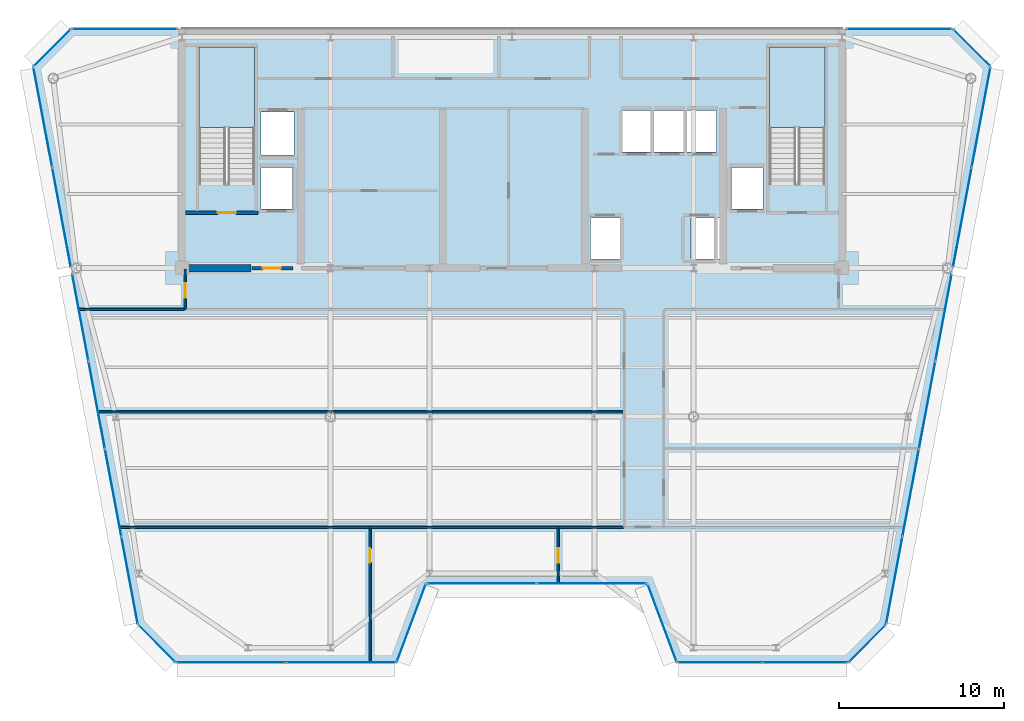
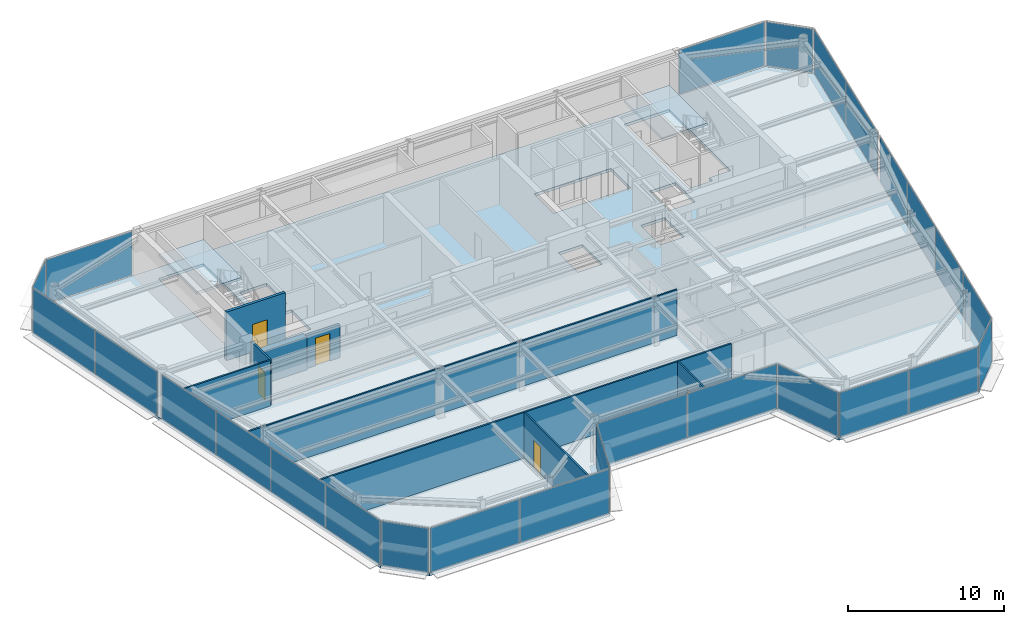
# One storey, part 10 of 19: 26 plates, 9 walls, 5 doors, 3 slabs, 5 openings, 17 elements without a shape of their own.
"""IFC4 building model written with IfcOpenShell, lengths in metres."""

from ifc_helpers import new_model, si_unit, direction, frame, frame_2d, origin, origin_2d, place, context, subcontext, project, spatial, polyline, rectangle, outline, extrude, source, transform, mapped, material, layer, layer_set, type_object, element, fill, aggregate, save


model = new_model("IFC4")

# Units and contexts
model_context = context("Model", 3, precision=1e-05, world=origin(), true_north=direction((0.0, 1.0)))
body_context = subcontext(model_context, "Body", "Model", "MODEL_VIEW")
ifc_project = project(units=[si_unit("LENGTHUNIT", "METRE"), si_unit("AREAUNIT", "SQUARE_METRE"), si_unit("VOLUMEUNIT", "CUBIC_METRE"), si_unit("PLANEANGLEUNIT", "RADIAN"), si_unit("MASSUNIT", "GRAM", prefix="KILO")], contexts=[model_context])

# Site, building, storey
site_placement = place(None, origin())
site = spatial("IfcSite", under=ifc_project, at=site_placement, CompositionType="ELEMENT")
building_placement = place(site_placement, origin())
building = spatial("IfcBuilding", under=site, at=building_placement, Name="Vaeldorn Concourse Tower", CompositionType="ELEMENT")
storey_placement = place(building_placement, frame((0.0, 0.0, 287.800048828125)))
storey = spatial("IfcBuildingStorey", under=building, at=storey_placement, Name="L74", CompositionType="ELEMENT", Elevation=287.800048828125)

# Stair, slab
ifc_material_1 = material(Name="Precast concrete C40/50", Category="concrete")
stair_type = type_object("IfcStairType", Name="STR-DOG-24x158", PredefinedType="HALF_TURN_STAIR", material=ifc_material_1)
stair_1_placement = place(storey_placement, origin())
stair_1 = element("IfcStair", 1, at=stair_1_placement, inside=storey, type_object=stair_type, Name="L74 West Core Exit Stair ST-1", PredefinedType="HALF_TURN_STAIR")
ifc_material_2 = material(Name="Concrete C40/50", Category="concrete")
ifc_layer_1 = layer(ifc_material_2, 0.199951171875)
ifc_layer_set_1 = layer_set([ifc_layer_1], Name="Concrete C40/50")
slab_type_1 = type_object("IfcSlabType", Name="SL-STAIR-LANDING", PredefinedType="LANDING", material=ifc_layer_set_1)
slab_1_placement = place(storey_placement, frame((0.0, 0.0, 1.699951171875)))
slab_1 = element("IfcSlab", 2, at=slab_1_placement, type_object=slab_type_1, Name="ST-1 landing 1", PredefinedType="LANDING", context=body_context, shape_type="SweptSolid", body=[
    extrude(outline(polyline([(18.39990234375, 45.010009765625), (18.39990234375, 49.89990234375), (15.050048828125, 49.89990234375), (15.050048828125, 45.010009765625), (18.39990234375, 45.010009765625)])), origin(), (0.0, 0.0, 1.0), 0.199951171875),
])
aggregate(stair_1, [slab_1])

stair_2_placement = place(storey_placement, origin())
stair_2 = element("IfcStair", 3, at=stair_2_placement, inside=storey, type_object=stair_type, Name="L74 East Core Exit Stair ST-2", PredefinedType="HALF_TURN_STAIR")
slab_2_placement = place(storey_placement, frame((0.0, 0.0, 1.699951171875)))
slab_2 = element("IfcSlab", 4, at=slab_2_placement, type_object=slab_type_1, Name="ST-2 landing 1", PredefinedType="LANDING", context=body_context, shape_type="SweptSolid", body=[
    extrude(outline(polyline([(52.949951171875, 45.010009765625), (52.949951171875, 49.89990234375), (49.60009765625, 49.89990234375), (49.60009765625, 45.010009765625), (52.949951171875, 45.010009765625)])), origin(), (0.0, 0.0, 1.0), 0.199951171875),
])
aggregate(stair_2, [slab_2])

# Slab
ifc_layer_2 = layer(ifc_material_2, 0.219970703125)
ifc_layer_set_2 = layer_set([ifc_layer_2], Name="Concrete C40/50")
slab_type_2 = type_object("IfcSlabType", Name="SL-TYP-220", PredefinedType="FLOOR", material=ifc_layer_set_2)
slab_3_placement = place(storey_placement, frame((0.0, 0.0, -0.219970703125)))
element("IfcSlab", 5, at=slab_3_placement, inside=storey, type_object=slab_type_2, Name="Structural Floor Slab L74", PredefinedType="FLOOR", context=body_context, shape_type="SweptSolid", body=[
    extrude(outline(polyline([(13.635986328125, 12.60009765625), (27.0, 12.60009765625), (28.800048828125, 17.39990234375), (42.199951171875, 17.39990234375), (44.0, 12.60009765625), (54.364013671875, 12.60009765625), (56.6640625, 14.89990234375), (63.0, 48.699951171875), (60.699951171875, 51.0), (7.300048828125, 51.0), (5.0, 48.699951171875), (11.3359375, 14.89990234375), (13.635986328125, 12.60009765625)]), holes=[polyline([(18.39990234375, 42.0), (18.39990234375, 49.89990234375), (15.050048828125, 49.89990234375), (15.050048828125, 41.60009765625), (16.800048828125, 41.60009765625), (16.800048828125, 42.0), (18.39990234375, 42.0)]), polyline([(52.949951171875, 42.0), (52.949951171875, 49.89990234375), (49.60009765625, 49.89990234375), (49.60009765625, 41.60009765625), (51.35009765625, 41.60009765625), (51.35009765625, 42.0), (52.949951171875, 42.0)]), polyline([(38.75, 37.050048828125), (40.550048828125, 37.050048828125), (40.550048828125, 39.550048828125), (38.75, 39.550048828125), (38.75, 37.050048828125)]), polyline([(44.85009765625, 37.050048828125), (46.64990234375, 37.050048828125), (46.64990234375, 39.550048828125), (44.85009765625, 39.550048828125), (44.85009765625, 37.050048828125)]), polyline([(40.699951171875, 43.550048828125), (46.39990234375, 43.550048828125), (46.39990234375, 46.050048828125), (40.699951171875, 46.050048828125), (40.699951171875, 43.550048828125)]), polyline([(18.800048828125, 43.35009765625), (20.800048828125, 43.35009765625), (20.800048828125, 45.949951171875), (18.800048828125, 45.949951171875), (18.800048828125, 43.35009765625)]), polyline([(18.800048828125, 40.10009765625), (20.699951171875, 40.10009765625), (20.699951171875, 42.60009765625), (18.800048828125, 42.60009765625), (18.800048828125, 40.10009765625)]), polyline([(47.300048828125, 40.10009765625), (49.199951171875, 40.10009765625), (49.199951171875, 42.60009765625), (47.300048828125, 42.60009765625), (47.300048828125, 40.10009765625)])]), origin(), (0.0, 0.0, 1.0), 0.219970703125),
])

# Curtain wall, plate
ifc_material_3 = material(Name="Anodised Bronze Aluminium", Category="aluminium")
ifc_layer_3 = layer(ifc_material_3, 0.179931640625)
ifc_layer_set_3 = layer_set([ifc_layer_3], Name="Anodised Bronze Aluminium")
curtain_wall_type = type_object("IfcCurtainWallType", Name="CW-SYS-05", PredefinedType="NOTDEFINED", material=ifc_layer_set_3)
curtain_wall_1_placement = place(storey_placement, origin())
curtain_wall_1 = element("IfcCurtainWall", 6, at=curtain_wall_1_placement, inside=storey, type_object=curtain_wall_type, Name="Unitised Curtain Wall CW-L74-E02-1", PredefinedType="NOTDEFINED")
ifc_material_4 = material(Name="Bronze Tinted Low-E Insulated Glass", Category="glass")
ifc_layer_4 = layer(ifc_material_4, 0.031982421875)
ifc_layer_set_4 = layer_set([ifc_layer_4], Name="Bronze Tinted Low-E Insulated Glass")
plate_type = type_object("IfcPlateType", Name="CWP-VISION-32", PredefinedType="CURTAIN_PANEL", material=ifc_layer_set_4)
shared_shape_1 = source(origin(), body_context, "Body", "SweptSolid", [
    extrude(rectangle(XDim=4.996337890625, YDim=0.031982421875, at=origin_2d()), origin(), (0.0, 0.0, 1.0), 3.449951171875),
])
plate_1_placement = place(storey_placement, frame((27.89990234375, 15.0, 0.06494140625), z_axis=(0.0, 0.0, 1.0), x_axis=(0.351123441595, 0.936329177566, 0.0)))
plate_1 = element("IfcPlate", 7, at=plate_1_placement, type_object=plate_type, Name="CW-05 panel 1.1", PredefinedType="CURTAIN_PANEL", context=body_context, shape_type="MappedRepresentation", body=[
    mapped(shared_shape_1, transform((0.0, 0.0, 0.0), scale=1.0)),
])
aggregate(curtain_wall_1, [plate_1])

curtain_wall_2_placement = place(storey_placement, origin())
curtain_wall_2 = element("IfcCurtainWall", 8, at=curtain_wall_2_placement, inside=storey, type_object=curtain_wall_type, Name="Unitised Curtain Wall CW-L74-E04-1", PredefinedType="NOTDEFINED")
plate_2_placement = place(storey_placement, frame((43.10009765625, 15.0, 0.06494140625), z_axis=(0.0, 0.0, 1.0), x_axis=(0.351123441595, -0.936329177566, 0.0)))
plate_2 = element("IfcPlate", 9, at=plate_2_placement, type_object=plate_type, Name="CW-05 panel 1.1", PredefinedType="CURTAIN_PANEL", context=body_context, shape_type="MappedRepresentation", body=[
    mapped(shared_shape_1, transform((0.0, 0.0, 0.0), scale=1.0)),
])
aggregate(curtain_wall_2, [plate_2])

# Curtain wall, plates
curtain_wall_3_placement = place(storey_placement, origin())
curtain_wall_3 = element("IfcCurtainWall", 10, at=curtain_wall_3_placement, inside=storey, type_object=curtain_wall_type, Name="Unitised Curtain Wall CW-L74-E03-1", PredefinedType="NOTDEFINED")
shared_shape_2 = source(origin(), body_context, "Body", "SweptSolid", [
    extrude(rectangle(XDim=6.6025390625, YDim=0.031982421875, at=origin_2d()), origin(), (0.0, 0.0, 1.0), 3.449951171875),
])
plate_3_placement = place(storey_placement, frame((32.166259765625, 17.39990234375, 0.06494140625), z_axis=(0.0, 0.0, 1.0), x_axis=(1.0, 0.0, 0.0)))
plate_3 = element("IfcPlate", 11, at=plate_3_placement, type_object=plate_type, Name="CW-05 panel 1.1", PredefinedType="CURTAIN_PANEL", context=body_context, shape_type="MappedRepresentation", body=[
    mapped(shared_shape_2, transform((0.0, 0.0, 0.0), scale=1.0)),
])
plate_4_placement = place(storey_placement, frame((38.833740234375, 17.39990234375, 0.06494140625), z_axis=(0.0, 0.0, 1.0), x_axis=(1.0, 0.0, 0.0)))
plate_4 = element("IfcPlate", 12, at=plate_4_placement, type_object=plate_type, Name="CW-05 panel 2.1", PredefinedType="CURTAIN_PANEL", context=body_context, shape_type="MappedRepresentation", body=[
    mapped(shared_shape_2, transform((0.0, 0.0, 0.0), scale=1.0)),
])
aggregate(curtain_wall_3, [plate_3, plate_4])

# Curtain wall, plate
curtain_wall_4_placement = place(storey_placement, origin())
curtain_wall_4 = element("IfcCurtainWall", 13, at=curtain_wall_4_placement, inside=storey, type_object=curtain_wall_type, Name="Unitised Curtain Wall CW-L74-E06-1", PredefinedType="NOTDEFINED")
shared_shape_3 = source(origin(), body_context, "Body", "SweptSolid", [
    extrude(rectangle(XDim=3.122802734375, YDim=0.031982421875, at=origin_2d()), origin(), (0.0, 0.0, 1.0), 3.449951171875),
])
plate_5_placement = place(storey_placement, frame((55.513916015625, 13.75, 0.06494140625), z_axis=(0.0, 0.0, 1.0), x_axis=(0.707106781187, 0.707106781187, 0.0)))
plate_5 = element("IfcPlate", 14, at=plate_5_placement, type_object=plate_type, Name="CW-05 panel 1.1", PredefinedType="CURTAIN_PANEL", context=body_context, shape_type="MappedRepresentation", body=[
    mapped(shared_shape_3, transform((0.0, 0.0, 0.0), scale=1.0)),
])
aggregate(curtain_wall_4, [plate_5])

curtain_wall_5_placement = place(storey_placement, origin())
curtain_wall_5 = element("IfcCurtainWall", 15, at=curtain_wall_5_placement, inside=storey, type_object=curtain_wall_type, Name="Unitised Curtain Wall CW-L74-E08-1", PredefinedType="NOTDEFINED")
plate_6_placement = place(storey_placement, frame((61.85009765625, 49.85009765625, 0.06494140625), z_axis=(0.0, 0.0, 1.0), x_axis=(-0.707106781187, 0.707106781187, 0.0)))
plate_6 = element("IfcPlate", 16, at=plate_6_placement, type_object=plate_type, Name="CW-05 panel 1.1", PredefinedType="CURTAIN_PANEL", context=body_context, shape_type="MappedRepresentation", body=[
    mapped(shared_shape_3, transform((0.0, 0.0, 0.0), scale=1.0)),
])
aggregate(curtain_wall_5, [plate_6])

curtain_wall_6_placement = place(storey_placement, origin())
curtain_wall_6 = element("IfcCurtainWall", 17, at=curtain_wall_6_placement, inside=storey, type_object=curtain_wall_type, Name="Unitised Curtain Wall CW-L74-E10-1", PredefinedType="NOTDEFINED")
plate_7_placement = place(storey_placement, frame((6.14990234375, 49.85009765625, 0.06494140625), z_axis=(0.0, 0.0, 1.0), x_axis=(-0.707106781187, -0.707106781187, 0.0)))
plate_7 = element("IfcPlate", 18, at=plate_7_placement, type_object=plate_type, Name="CW-05 panel 1.1", PredefinedType="CURTAIN_PANEL", context=body_context, shape_type="MappedRepresentation", body=[
    mapped(shared_shape_3, transform((0.0, 0.0, 0.0), scale=1.0)),
])
aggregate(curtain_wall_6, [plate_7])

curtain_wall_7_placement = place(storey_placement, origin())
curtain_wall_7 = element("IfcCurtainWall", 19, at=curtain_wall_7_placement, inside=storey, type_object=curtain_wall_type, Name="Unitised Curtain Wall CW-L74-E12-1", PredefinedType="NOTDEFINED")
plate_8_placement = place(storey_placement, frame((12.486083984375, 13.75, 0.06494140625), z_axis=(0.0, 0.0, 1.0), x_axis=(0.707106781187, -0.707106781187, 0.0)))
plate_8 = element("IfcPlate", 20, at=plate_8_placement, type_object=plate_type, Name="CW-05 panel 1.1", PredefinedType="CURTAIN_PANEL", context=body_context, shape_type="MappedRepresentation", body=[
    mapped(shared_shape_3, transform((0.0, 0.0, 0.0), scale=1.0)),
])
aggregate(curtain_wall_7, [plate_8])

curtain_wall_8_placement = place(storey_placement, origin())
curtain_wall_8 = element("IfcCurtainWall", 21, at=curtain_wall_8_placement, inside=storey, type_object=curtain_wall_type, Name="Unitised Curtain Wall CW-L74-E09-1", PredefinedType="NOTDEFINED")
shared_shape_4 = source(origin(), body_context, "Body", "SweptSolid", [
    extrude(rectangle(XDim=6.35009765625, YDim=0.031982421875, at=origin_2d()), origin(), (0.0, 0.0, 1.0), 3.449951171875),
])
plate_9_placement = place(storey_placement, frame((57.4599609375, 51.0, 0.06494140625), z_axis=(0.0, 0.0, 1.0), x_axis=(-1.0, 0.0, 0.0)))
plate_9 = element("IfcPlate", 22, at=plate_9_placement, type_object=plate_type, Name="CW-05 panel 1.1", PredefinedType="CURTAIN_PANEL", context=body_context, shape_type="MappedRepresentation", body=[
    mapped(shared_shape_4, transform((0.0, 0.0, 0.0), scale=1.0)),
])
aggregate(curtain_wall_8, [plate_9])

curtain_wall_9_placement = place(storey_placement, origin())
curtain_wall_9 = element("IfcCurtainWall", 23, at=curtain_wall_9_placement, inside=storey, type_object=curtain_wall_type, Name="Unitised Curtain Wall CW-L74-E09-2", PredefinedType="NOTDEFINED")
plate_10_placement = place(storey_placement, frame((10.5400390625, 51.0, 0.06494140625), z_axis=(0.0, 0.0, 1.0), x_axis=(-1.0, 0.0, 0.0)))
plate_10 = element("IfcPlate", 24, at=plate_10_placement, type_object=plate_type, Name="CW-05 panel 1.1", PredefinedType="CURTAIN_PANEL", context=body_context, shape_type="MappedRepresentation", body=[
    mapped(shared_shape_4, transform((0.0, 0.0, 0.0), scale=1.0)),
])
aggregate(curtain_wall_9, [plate_10])

# Curtain wall, plates
curtain_wall_10_placement = place(storey_placement, origin())
curtain_wall_10 = element("IfcCurtainWall", 25, at=curtain_wall_10_placement, inside=storey, type_object=curtain_wall_type, Name="Unitised Curtain Wall CW-L74-E07-1", PredefinedType="NOTDEFINED")
shared_shape_5 = source(origin(), body_context, "Body", "SweptSolid", [
    extrude(rectangle(XDim=5.31640625, YDim=0.031982421875, at=origin_2d()), origin(), (0.0, 0.0, 1.0), 3.449951171875),
])
plate_11_placement = place(storey_placement, frame((57.165771484375, 17.57666015625, 0.06494140625), z_axis=(0.0, 0.0, 1.0), x_axis=(0.184246714088, 0.982880027444, 0.0)))
plate_11 = element("IfcPlate", 26, at=plate_11_placement, type_object=plate_type, Name="CW-05 panel 1.1", PredefinedType="CURTAIN_PANEL", context=body_context, shape_type="MappedRepresentation", body=[
    mapped(shared_shape_5, transform((0.0, 0.0, 0.0), scale=1.0)),
])
plate_12_placement = place(storey_placement, frame((60.15234375, 33.50830078125, 0.06494140625), z_axis=(0.0, 0.0, 1.0), x_axis=(0.184246714088, 0.982880027444, 0.0)))
plate_12 = element("IfcPlate", 27, at=plate_12_placement, type_object=plate_type, Name="CW-05 panel 4.1", PredefinedType="CURTAIN_PANEL", context=body_context, shape_type="MappedRepresentation", body=[
    mapped(shared_shape_5, transform((0.0, 0.0, 0.0), scale=1.0)),
])

curtain_wall_11_placement = place(storey_placement, origin())
curtain_wall_11 = element("IfcCurtainWall", 28, at=curtain_wall_11_placement, inside=storey, type_object=curtain_wall_type, Name="Unitised Curtain Wall CW-L74-E11-2", PredefinedType="NOTDEFINED")
plate_13_placement = place(storey_placement, frame((7.84765625, 33.50830078125, 0.06494140625), z_axis=(0.0, 0.0, 1.0), x_axis=(0.184246714088, -0.982880027444, 0.0)))
plate_13 = element("IfcPlate", 29, at=plate_13_placement, type_object=plate_type, Name="CW-05 panel 1.1", PredefinedType="CURTAIN_PANEL", context=body_context, shape_type="MappedRepresentation", body=[
    mapped(shared_shape_5, transform((0.0, 0.0, 0.0), scale=1.0)),
])
plate_14_placement = place(storey_placement, frame((10.834228515625, 17.57666015625, 0.06494140625), z_axis=(0.0, 0.0, 1.0), x_axis=(0.184246714088, -0.982880027444, 0.0)))
plate_14 = element("IfcPlate", 30, at=plate_14_placement, type_object=plate_type, Name="CW-05 panel 4.1", PredefinedType="CURTAIN_PANEL", context=body_context, shape_type="MappedRepresentation", body=[
    mapped(shared_shape_5, transform((0.0, 0.0, 0.0), scale=1.0)),
])

# Plate
shared_shape_6 = source(origin(), body_context, "Body", "SweptSolid", [
    extrude(rectangle(XDim=5.348876953125, YDim=0.031982421875, at=origin_2d()), origin(), (0.0, 0.0, 1.0), 3.449951171875),
])
plate_15_placement = place(storey_placement, frame((58.16015625, 22.8818359375, 0.06494140625), z_axis=(0.0, 0.0, 1.0), x_axis=(0.184246714088, 0.982880027444, 0.0)))
plate_15 = element("IfcPlate", 31, at=plate_15_placement, type_object=plate_type, Name="CW-05 panel 2.1", PredefinedType="CURTAIN_PANEL", context=body_context, shape_type="MappedRepresentation", body=[
    mapped(shared_shape_6, transform((0.0, 0.0, 0.0), scale=1.0)),
])

plate_16_placement = place(storey_placement, frame((59.15771484375, 28.203125, 0.06494140625), z_axis=(0.0, 0.0, 1.0), x_axis=(0.184246714088, 0.982880027444, 0.0)))
plate_16 = element("IfcPlate", 32, at=plate_16_placement, type_object=plate_type, Name="CW-05 panel 3.1", PredefinedType="CURTAIN_PANEL", context=body_context, shape_type="MappedRepresentation", body=[
    mapped(shared_shape_6, transform((0.0, 0.0, 0.0), scale=1.0)),
])

aggregate(curtain_wall_10, [plate_11, plate_15, plate_16, plate_12])

plate_17_placement = place(storey_placement, frame((8.84228515625, 28.203125, 0.06494140625), z_axis=(0.0, 0.0, 1.0), x_axis=(0.184246714088, -0.982880027444, 0.0)))
plate_17 = element("IfcPlate", 33, at=plate_17_placement, type_object=plate_type, Name="CW-05 panel 2.1", PredefinedType="CURTAIN_PANEL", context=body_context, shape_type="MappedRepresentation", body=[
    mapped(shared_shape_6, transform((0.0, 0.0, 0.0), scale=1.0)),
])

plate_18_placement = place(storey_placement, frame((9.83984375, 22.8818359375, 0.06494140625), z_axis=(0.0, 0.0, 1.0), x_axis=(0.184246714088, -0.982880027444, 0.0)))
plate_18 = element("IfcPlate", 34, at=plate_18_placement, type_object=plate_type, Name="CW-05 panel 3.1", PredefinedType="CURTAIN_PANEL", context=body_context, shape_type="MappedRepresentation", body=[
    mapped(shared_shape_6, transform((0.0, 0.0, 0.0), scale=1.0)),
])

aggregate(curtain_wall_11, [plate_13, plate_17, plate_18, plate_14])

# Curtain wall, plates
curtain_wall_12_placement = place(storey_placement, origin())
curtain_wall_12 = element("IfcCurtainWall", 35, at=curtain_wall_12_placement, inside=storey, type_object=curtain_wall_type, Name="Unitised Curtain Wall CW-L74-E07-2", PredefinedType="NOTDEFINED")
shared_shape_7 = source(origin(), body_context, "Body", "SweptSolid", [
    extrude(rectangle(XDim=6.103515625, YDim=0.031982421875, at=origin_2d()), origin(), (0.0, 0.0, 1.0), 3.449951171875),
])
plate_19_placement = place(storey_placement, frame((61.289306640625, 39.57373046875, 0.06494140625), z_axis=(0.0, 0.0, 1.0), x_axis=(0.184245693053, 0.982880218842, 0.0)))
plate_19 = element("IfcPlate", 36, at=plate_19_placement, type_object=plate_type, Name="CW-05 panel 1.1", PredefinedType="CURTAIN_PANEL", context=body_context, shape_type="MappedRepresentation", body=[
    mapped(shared_shape_7, transform((0.0, 0.0, 0.0), scale=1.0)),
])
plate_20_placement = place(storey_placement, frame((62.42578125, 45.63671875, 0.06494140625), z_axis=(0.0, 0.0, 1.0), x_axis=(0.184245693053, 0.982880218842, 0.0)))
plate_20 = element("IfcPlate", 37, at=plate_20_placement, type_object=plate_type, Name="CW-05 panel 2.1", PredefinedType="CURTAIN_PANEL", context=body_context, shape_type="MappedRepresentation", body=[
    mapped(shared_shape_7, transform((0.0, 0.0, 0.0), scale=1.0)),
])
aggregate(curtain_wall_12, [plate_19, plate_20])

curtain_wall_13_placement = place(storey_placement, origin())
curtain_wall_13 = element("IfcCurtainWall", 38, at=curtain_wall_13_placement, inside=storey, type_object=curtain_wall_type, Name="Unitised Curtain Wall CW-L74-E11-1", PredefinedType="NOTDEFINED")
plate_21_placement = place(storey_placement, frame((5.57421875, 45.63671875, 0.06494140625), z_axis=(0.0, 0.0, 1.0), x_axis=(0.184245693053, -0.982880218842, 0.0)))
plate_21 = element("IfcPlate", 39, at=plate_21_placement, type_object=plate_type, Name="CW-05 panel 1.1", PredefinedType="CURTAIN_PANEL", context=body_context, shape_type="MappedRepresentation", body=[
    mapped(shared_shape_7, transform((0.0, 0.0, 0.0), scale=1.0)),
])
plate_22_placement = place(storey_placement, frame((6.710693359375, 39.57373046875, 0.06494140625), z_axis=(0.0, 0.0, 1.0), x_axis=(0.184245693053, -0.982880218842, 0.0)))
plate_22 = element("IfcPlate", 40, at=plate_22_placement, type_object=plate_type, Name="CW-05 panel 2.1", PredefinedType="CURTAIN_PANEL", context=body_context, shape_type="MappedRepresentation", body=[
    mapped(shared_shape_7, transform((0.0, 0.0, 0.0), scale=1.0)),
])
aggregate(curtain_wall_13, [plate_21, plate_22])

curtain_wall_14_placement = place(storey_placement, origin())
curtain_wall_14 = element("IfcCurtainWall", 41, at=curtain_wall_14_placement, inside=storey, type_object=curtain_wall_type, Name="Unitised Curtain Wall CW-L74-E01-1", PredefinedType="NOTDEFINED")
shared_shape_8 = source(origin(), body_context, "Body", "SweptSolid", [
    extrude(rectangle(XDim=6.58447265625, YDim=0.031982421875, at=origin_2d()), origin(), (0.0, 0.0, 1.0), 3.449951171875),
])
plate_23_placement = place(storey_placement, frame((16.9931640625, 12.60009765625, 0.06494140625), z_axis=(0.0, 0.0, 1.0), x_axis=(1.0, 0.0, 0.0)))
plate_23 = element("IfcPlate", 42, at=plate_23_placement, type_object=plate_type, Name="CW-05 panel 1.1", PredefinedType="CURTAIN_PANEL", context=body_context, shape_type="MappedRepresentation", body=[
    mapped(shared_shape_8, transform((0.0, 0.0, 0.0), scale=1.0)),
])
plate_24_placement = place(storey_placement, frame((23.642822265625, 12.60009765625, 0.06494140625), z_axis=(0.0, 0.0, 1.0), x_axis=(1.0, 0.0, 0.0)))
plate_24 = element("IfcPlate", 43, at=plate_24_placement, type_object=plate_type, Name="CW-05 panel 2.1", PredefinedType="CURTAIN_PANEL", context=body_context, shape_type="MappedRepresentation", body=[
    mapped(shared_shape_8, transform((0.0, 0.0, 0.0), scale=1.0)),
])
aggregate(curtain_wall_14, [plate_23, plate_24])

curtain_wall_15_placement = place(storey_placement, origin())
curtain_wall_15 = element("IfcCurtainWall", 44, at=curtain_wall_15_placement, inside=storey, type_object=curtain_wall_type, Name="Unitised Curtain Wall CW-L74-E05-1", PredefinedType="NOTDEFINED")
shared_shape_9 = source(origin(), body_context, "Body", "SweptSolid", [
    extrude(rectangle(XDim=5.08447265625, YDim=0.031982421875, at=origin_2d()), origin(), (0.0, 0.0, 1.0), 3.449951171875),
])
plate_25_placement = place(storey_placement, frame((46.607177734375, 12.60009765625, 0.06494140625), z_axis=(0.0, 0.0, 1.0), x_axis=(1.0, 0.0, 0.0)))
plate_25 = element("IfcPlate", 45, at=plate_25_placement, type_object=plate_type, Name="CW-05 panel 1.1", PredefinedType="CURTAIN_PANEL", context=body_context, shape_type="MappedRepresentation", body=[
    mapped(shared_shape_9, transform((0.0, 0.0, 0.0), scale=1.0)),
])
plate_26_placement = place(storey_placement, frame((51.7568359375, 12.60009765625, 0.06494140625), z_axis=(0.0, 0.0, 1.0), x_axis=(1.0, 0.0, 0.0)))
plate_26 = element("IfcPlate", 46, at=plate_26_placement, type_object=plate_type, Name="CW-05 panel 2.1", PredefinedType="CURTAIN_PANEL", context=body_context, shape_type="MappedRepresentation", body=[
    mapped(shared_shape_9, transform((0.0, 0.0, 0.0), scale=1.0)),
])
aggregate(curtain_wall_15, [plate_25, plate_26])

# Wall
ifc_material_5 = material(Name="Concrete C50/60", Category="concrete")
ifc_layer_5 = layer(ifc_material_5, 0.449951171875)
ifc_layer_set_5 = layer_set([ifc_layer_5], Name="Concrete C50/60")
wall_type_1 = type_object("IfcWallType", Name="WL-CORE-450", PredefinedType="SHEAR", material=ifc_layer_set_5)
wall_1_placement = place(storey_placement, frame((14.2451171875, 36.5, 0.0), z_axis=(0.0, 0.0, 1.0), x_axis=(1.0, 0.0, 0.0)))
element("IfcWall", 47, at=wall_1_placement, inside=storey, type_object=wall_type_1, Name="Rear Core Shear Wall L74 S1", PredefinedType="SHEAR", context=body_context, shape_type="SweptSolid", body=[
    extrude(rectangle(XDim=3.954833984375, YDim=0.449951171875, at=frame_2d((1.9775390625, 0.0))), origin(), (0.0, 0.0, 1.0), 2.579833984375),
])

# Wall, opening, door
ifc_material_6 = material(Name="Gypsum Board Partition", Category="gypsum")
ifc_layer_6 = layer(ifc_material_6, 0.1201171875)
ifc_layer_set_6 = layer_set([ifc_layer_6], Name="Gypsum Board Partition")
wall_type_2 = type_object("IfcWallType", Name="WL-PART-120", PredefinedType="PARTITIONING", material=ifc_layer_set_6)
wall_2_placement = place(storey_placement, frame((14.199951171875, 34.0, 0.0), z_axis=(0.0, 0.0, 1.0), x_axis=(0.0, 1.0, 0.0)))
wall_2 = element("IfcWall", 48, at=wall_2_placement, inside=storey, type_object=wall_type_2, Name="Interior Wall PW-L74-C3W", PredefinedType="PARTITIONING", context=body_context, shape_type="SweptSolid", body=[
    extrude(rectangle(XDim=2.43994140625, YDim=0.1201171875, at=frame_2d((1.219970703125, 0.0))), origin(), (0.0, 0.0, 1.0), 3.579833984375),
])
opening_1_placement = place(wall_2_placement, frame((0.699951171875, 0.0, 0.0)))
opening_1 = element("IfcOpeningElement", 49, at=opening_1_placement, cuts=wall_2, Name="Opening D-03", PredefinedType="OPENING", context=body_context, shape_type="SweptSolid", body=[
    extrude(rectangle(XDim=0.89990234375, YDim=2.14990234375, at=frame_2d((0.449951171875, 1.074951171875))), frame((0.0, 0.070068359375, 0.0), z_axis=(0.0, -1.0, 0.0), x_axis=(1.0, 0.0, 0.0)), (0.0, 0.0, 1.0), 0.14013671875),
])
ifc_material_7 = material(Name="Acoustic Bronze-Framed Glass Door", Category="glass")
door_type_1 = type_object("IfcDoorType", Name="DR-INT-900", OperationType="NOTDEFINED", PredefinedType="DOOR", material=ifc_material_7)
shared_shape_10 = source(origin(), body_context, "Body", "SweptSolid", [
    extrude(rectangle(XDim=0.89990234375, YDim=2.14990234375, at=frame_2d((0.449951171875, 1.074951171875))), frame((0.0, 0.02490234375, 0.0), z_axis=(0.0, -1.0, 0.0), x_axis=(1.0, 0.0, 0.0)), (0.0, 0.0, 1.0), 0.050048828125),
])
door_1_placement = place(opening_1_placement, origin())
door_1 = element("IfcDoor", 50, at=door_1_placement, inside=storey, type_object=door_type_1, Name="Interior Door DR-L74-Z3NW", OperationType="SINGLE_SWING_LEFT", OverallHeight=2.14990234375, OverallWidth=0.89990234375, PredefinedType="DOOR", context=body_context, shape_type="MappedRepresentation", body=[
    mapped(shared_shape_10, transform((0.0, 0.0, 0.0), scale=1.0)),
])
fill(opening_1, door_1)

# Walls
wall_3_placement = place(storey_placement, frame((7.795654296875, 34.0, 0.0), z_axis=(0.0, 0.0, 1.0), x_axis=(1.0, 0.0, 0.0)))
element("IfcWall", 51, at=wall_3_placement, inside=storey, type_object=wall_type_2, Name="Interior Wall PW-L74-Z3NWB", PredefinedType="PARTITIONING", context=body_context, shape_type="SweptSolid", body=[
    extrude(rectangle(XDim=6.34423828125, YDim=0.1201171875, at=frame_2d((3.172119140625, 0.0))), origin(), (0.0, 0.0, 1.0), 3.579833984375),
])
wall_4_placement = place(storey_placement, frame((8.957763671875, 27.800048828125, 0.0), z_axis=(0.0, 0.0, 1.0), x_axis=(1.0, 0.0, 0.0)))
element("IfcWall", 52, at=wall_4_placement, inside=storey, type_object=wall_type_2, Name="Interior Wall PW-L74-Z3WY1", PredefinedType="PARTITIONING", context=body_context, shape_type="SweptSolid", body=[
    extrude(rectangle(XDim=31.7822265625, YDim=0.1201171875, at=frame_2d((15.89111328125, 0.0))), origin(), (0.0, 0.0, 1.0), 3.579833984375),
])
wall_5_placement = place(storey_placement, frame((10.27001953125, 20.800048828125, 0.0), z_axis=(0.0, 0.0, 1.0), x_axis=(1.0, 0.0, 0.0)))
element("IfcWall", 53, at=wall_5_placement, inside=storey, type_object=wall_type_2, Name="Interior Wall PW-L74-Z3SWL", PredefinedType="PARTITIONING", context=body_context, shape_type="SweptSolid", body=[
    extrude(rectangle(XDim=30.469970703125, YDim=0.1201171875, at=frame_2d((15.23486328125, 0.0))), origin(), (0.0, 0.0, 1.0), 3.579833984375),
])

# Wall, opening, door
wall_6_placement = place(storey_placement, frame((25.39990234375, 12.639892578125, 0.0), z_axis=(0.0, 0.0, 1.0), x_axis=(0.0, 1.0, 0.0)))
wall_6 = element("IfcWall", 54, at=wall_6_placement, inside=storey, type_object=wall_type_2, Name="Interior Wall PW-L74-Z3SX1", PredefinedType="PARTITIONING", context=body_context, shape_type="SweptSolid", body=[
    extrude(rectangle(XDim=8.10009765625, YDim=0.1201171875, at=frame_2d((4.050048828125, 0.0))), origin(), (0.0, 0.0, 1.0), 3.579833984375),
])
opening_2_placement = place(wall_6_placement, frame((6.0, 0.0, 0.0)))
opening_2 = element("IfcOpeningElement", 55, at=opening_2_placement, cuts=wall_6, Name="Opening D-03", PredefinedType="OPENING", context=body_context, shape_type="SweptSolid", body=[
    extrude(rectangle(XDim=0.89990234375, YDim=2.14990234375, at=frame_2d((0.449951171875, 1.074951171875))), frame((0.0, 0.070068359375, 0.0), z_axis=(0.0, -1.0, 0.0), x_axis=(1.0, 0.0, 0.0)), (0.0, 0.0, 1.0), 0.14013671875),
])
door_2_placement = place(opening_2_placement, origin())
door_2 = element("IfcDoor", 56, at=door_2_placement, inside=storey, type_object=door_type_1, Name="Interior Door DR-L74-Z3SX1", OperationType="SINGLE_SWING_RIGHT", OverallHeight=2.14990234375, OverallWidth=0.89990234375, PredefinedType="DOOR", context=body_context, shape_type="MappedRepresentation", body=[
    mapped(shared_shape_10, transform((0.0, 0.0, 0.0), scale=1.0)),
])
fill(opening_2, door_2)

wall_7_placement = place(storey_placement, frame((36.800048828125, 17.43994140625, 0.0), z_axis=(0.0, 0.0, 1.0), x_axis=(0.0, 1.0, 0.0)))
wall_7 = element("IfcWall", 57, at=wall_7_placement, inside=storey, type_object=wall_type_2, Name="Interior Wall PW-L74-Z3SX2", PredefinedType="PARTITIONING", context=body_context, shape_type="SweptSolid", body=[
    extrude(rectangle(XDim=3.300048828125, YDim=0.1201171875, at=frame_2d((1.64990234375, 0.0))), origin(), (0.0, 0.0, 1.0), 3.579833984375),
])
opening_3_placement = place(wall_7_placement, frame((1.199951171875, 0.0, 0.0)))
opening_3 = element("IfcOpeningElement", 58, at=opening_3_placement, cuts=wall_7, Name="Opening D-03", PredefinedType="OPENING", context=body_context, shape_type="SweptSolid", body=[
    extrude(rectangle(XDim=0.89990234375, YDim=2.14990234375, at=frame_2d((0.449951171875, 1.074951171875))), frame((0.0, 0.070068359375, 0.0), z_axis=(0.0, -1.0, 0.0), x_axis=(1.0, 0.0, 0.0)), (0.0, 0.0, 1.0), 0.14013671875),
])
door_3_placement = place(opening_3_placement, origin())
door_3 = element("IfcDoor", 59, at=door_3_placement, inside=storey, type_object=door_type_1, Name="Interior Door DR-L74-Z3SX2", OperationType="SINGLE_SWING_LEFT", OverallHeight=2.14990234375, OverallWidth=0.89990234375, PredefinedType="DOOR", context=body_context, shape_type="MappedRepresentation", body=[
    mapped(shared_shape_10, transform((0.0, 0.0, 0.0), scale=1.0)),
])
fill(opening_3, door_3)

ifc_layer_7 = layer(ifc_material_5, 0.199951171875)
ifc_layer_set_7 = layer_set([ifc_layer_7], Name="Concrete C50/60")
wall_type_3 = type_object("IfcWallType", Name="WL-SHAFT-200", PredefinedType="SOLIDWALL", material=ifc_layer_set_7)
wall_8_placement = place(storey_placement, frame((14.22509765625, 39.85009765625, 0.0), z_axis=(0.0, 0.0, 1.0), x_axis=(1.0, 0.0, 0.0)))
wall_8 = element("IfcWall", 60, at=wall_8_placement, inside=storey, type_object=wall_type_3, Name="Stair Shaft Wall CW-L74-ST-1-S", PredefinedType="SOLIDWALL", context=body_context, shape_type="SweptSolid", body=[
    extrude(rectangle(XDim=4.375, YDim=0.199951171875, at=frame_2d((2.1875, 0.0))), origin(), (0.0, 0.0, 1.0), 3.800048828125),
])
opening_4_placement = place(wall_8_placement, frame((1.949951171875, 0.0, 0.0)))
opening_4 = element("IfcOpeningElement", 61, at=opening_4_placement, cuts=wall_8, Name="Opening D-01", PredefinedType="OPENING", context=body_context, shape_type="SweptSolid", body=[
    extrude(rectangle(XDim=1.10009765625, YDim=2.14990234375, at=frame_2d((0.550048828125, 1.074951171875))), frame((0.0, 0.10986328125, 0.0), z_axis=(0.0, -1.0, 0.0), x_axis=(1.0, 0.0, 0.0)), (0.0, 0.0, 1.0), 0.219970703125),
])
ifc_material_8 = material(Name="Fire-Rated Timber and Steel Leaf", Category="steel")
door_type_2 = type_object("IfcDoorType", Name="DR-FD60-1100", OperationType="NOTDEFINED", PredefinedType="DOOR", material=ifc_material_8)
shared_shape_11 = source(origin(), body_context, "Body", "SweptSolid", [
    extrude(rectangle(XDim=1.10009765625, YDim=2.14990234375, at=frame_2d((0.550048828125, 1.074951171875))), frame((0.0, 0.02490234375, 0.0), z_axis=(0.0, -1.0, 0.0), x_axis=(1.0, 0.0, 0.0)), (0.0, 0.0, 1.0), 0.050048828125),
])
door_4_placement = place(opening_4_placement, origin())
door_4 = element("IfcDoor", 62, at=door_4_placement, inside=storey, type_object=door_type_2, Name="Interior Door DR-L74-ST-1", OperationType="SINGLE_SWING_LEFT", OverallHeight=2.14990234375, OverallWidth=1.10009765625, PredefinedType="DOOR", context=body_context, shape_type="MappedRepresentation", body=[
    mapped(shared_shape_11, transform((0.0, 0.0, 0.0), scale=1.0)),
])
fill(opening_4, door_4)

wall_9_placement = place(storey_placement, frame((18.25, 36.5, 0.0), z_axis=(0.0, 0.0, 1.0), x_axis=(1.0, 0.0, 0.0)))
wall_9 = element("IfcWall", 63, at=wall_9_placement, inside=storey, type_object=wall_type_3, Name="Interior Wall CW-L74-FF1S", PredefinedType="SOLIDWALL", context=body_context, shape_type="SweptSolid", body=[
    extrude(rectangle(XDim=2.469970703125, YDim=0.199951171875, at=frame_2d((1.23486328125, 0.0))), origin(), (0.0, 0.0, 1.0), 2.570068359375),
])
opening_5_placement = place(wall_9_placement, frame((0.64990234375, 0.0, 0.0)))
opening_5 = element("IfcOpeningElement", 64, at=opening_5_placement, cuts=wall_9, Name="Opening D-01", PredefinedType="OPENING", context=body_context, shape_type="SweptSolid", body=[
    extrude(rectangle(XDim=1.10009765625, YDim=2.14990234375, at=frame_2d((0.550048828125, 1.074951171875))), frame((0.0, 0.10986328125, 0.0), z_axis=(0.0, -1.0, 0.0), x_axis=(1.0, 0.0, 0.0)), (0.0, 0.0, 1.0), 0.219970703125),
])
door_5_placement = place(opening_5_placement, origin())
door_5 = element("IfcDoor", 65, at=door_5_placement, inside=storey, type_object=door_type_2, Name="Interior Door DR-L74-FF1E", OperationType="SINGLE_SWING_RIGHT", OverallHeight=2.14990234375, OverallWidth=1.10009765625, PredefinedType="DOOR", context=body_context, shape_type="MappedRepresentation", body=[
    mapped(shared_shape_11, transform((0.0, 0.0, 0.0), scale=1.0)),
])
fill(opening_5, door_5)

save(model, "model.ifc")
